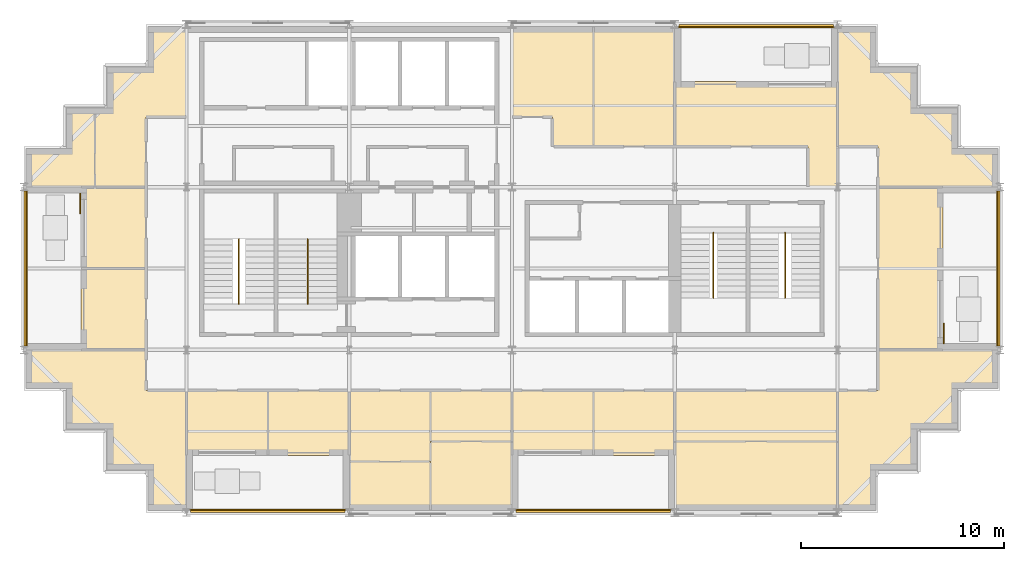
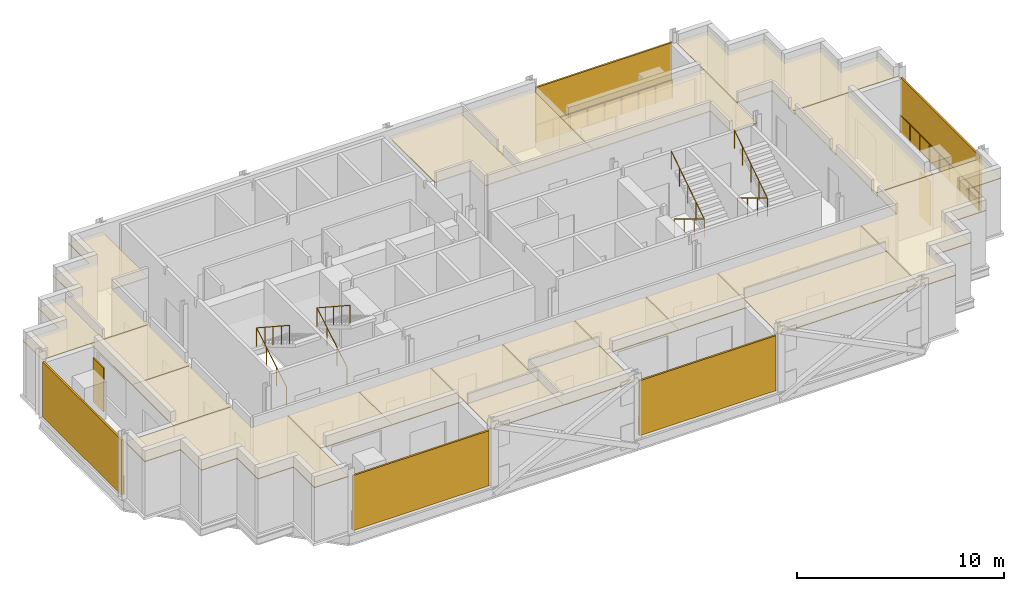
# One storey, part 9 of 10: 21 coverings, 9 railings, 7 shading devices.
"""IFC4 building model written with IfcOpenShell, lengths in metres."""

import ifcopenshell
import ifcopenshell.guid

model = None  # the IFC model being written
_history = None  # IfcOwnerHistory: only IFC2X3 demands one
_inside = {}  # id of a spatial element -> (the spatial element, [elements in it])
_under = {}  # id of a project, library or spatial element -> (it, [spatial elements below it])
_declared = {}  # id of a project -> (the project, [libraries it declares])
_typed = {}  # id of a type object -> (the type object, [elements of that type])
_made_of = {}  # id of a material, layer set ... -> (it, [elements and type objects made of it])


def new_model(schema):
    """Start an empty IFC model of exactly this schema.

    Asked for "IFC4X3", IfcOpenShell would pick the latest addendum, in which some entities
    have other attributes; the version numbers below select the first issue.
    IFC2X3 requires an IfcOwnerHistory on every rooted entity: one is made here for all.
    """
    global model, _history
    if schema == "IFC4X3":
        model = ifcopenshell.file(schema_version=(4, 3, 0, 0))
    else:
        model = ifcopenshell.file(schema=schema)
    _inside.clear()
    _under.clear()
    _declared.clear()
    _typed.clear()
    _made_of.clear()
    _history = None
    if model.schema == "IFC2X3":
        org = make("IfcOrganization", Name="unknown")
        user = make(
            "IfcPersonAndOrganization",
            ThePerson=make("IfcPerson", FamilyName="unknown"),
            TheOrganization=org,
        )
        app = make(
            "IfcApplication",
            ApplicationDeveloper=org,
            Version="unknown",
            ApplicationFullName="unknown",
            ApplicationIdentifier="unknown",
        )
        _history = make(
            "IfcOwnerHistory",
            OwningUser=user,
            OwningApplication=app,
            ChangeAction="ADDED",
            CreationDate=0,
        )
    return model


def make(cls, **values):
    """One entity of the class cls with the attributes given. An attribute that is None is left unset."""
    return model.create_entity(
        cls, **{name: value for name, value in values.items() if value is not None}
    )


def rooted(cls, **values):
    """An entity with a GlobalId (a new one), such as an element, a storey or a relation."""
    return make(cls, GlobalId=ifcopenshell.guid.new(), OwnerHistory=_history, **values)


def si_unit(unit_type, name, prefix=None):
    """IfcSIUnit, for example si_unit("LENGTHUNIT", "METRE", prefix="MILLI")."""
    return make("IfcSIUnit", UnitType=unit_type, Prefix=prefix, Name=name)


def assignment(units):
    """IfcUnitAssignment: the units of a project."""
    return None if units is None else make("IfcUnitAssignment", Units=units)


def point(xyz):
    """IfcCartesianPoint."""
    return None if xyz is None else make("IfcCartesianPoint", Coordinates=xyz)


def direction(xyz):
    """IfcDirection."""
    return None if xyz is None else make("IfcDirection", DirectionRatios=xyz)


def frame(location, z_axis=None, x_axis=None):
    """IfcAxis2Placement3D, a coordinate frame: its origin and axes. An axis left out is left unset."""
    return make(
        "IfcAxis2Placement3D",
        Location=point(location),
        Axis=direction(z_axis),
        RefDirection=direction(x_axis),
    )


def frame_2d(location, x_axis=None):
    """IfcAxis2Placement2D, a coordinate frame in the plane: its origin and x axis."""
    return make(
        "IfcAxis2Placement2D", Location=point(location), RefDirection=direction(x_axis)
    )


def origin():
    """The frame at (0, 0, 0) with its axes left unset."""
    return frame((0.0, 0.0, 0.0))


def origin_2d():
    """The frame at (0, 0) in the plane with its x axis left unset."""
    return frame_2d((0.0, 0.0))


def place(relative_to, where):
    """IfcLocalPlacement: puts the frame where relative to a parent placement (None: the world)."""
    return make(
        "IfcLocalPlacement", PlacementRelTo=relative_to, RelativePlacement=where
    )


def context(
    kind, dimensions, precision=None, world=None, true_north=None, identifier=None
):
    """IfcGeometricRepresentationContext, for example the 3D "Model" context."""
    return make(
        "IfcGeometricRepresentationContext",
        ContextIdentifier=identifier,
        ContextType=kind,
        CoordinateSpaceDimension=dimensions,
        Precision=precision,
        WorldCoordinateSystem=world,
        TrueNorth=true_north,
    )


def subcontext(parent, identifier, kind, view, scale=None):
    """IfcGeometricRepresentationSubContext, for example "Body" below "Model"."""
    return make(
        "IfcGeometricRepresentationSubContext",
        ContextIdentifier=identifier,
        ContextType=kind,
        ParentContext=parent,
        TargetScale=scale,
        TargetView=view,
    )


def project(units=None, contexts=None):
    """IfcProject with its units and contexts."""
    return rooted(
        "IfcProject",
        Name="project",
        RepresentationContexts=contexts,
        UnitsInContext=assignment(units),
    )


def spatial(cls, under=None, at=None, **own):
    """A site, building, storey or space (cls), placed at a placement, below another one or the project."""
    s = rooted(cls, ObjectPlacement=at, **own)
    if under is not None:
        _under.setdefault(under.id(), (under, []))[1].append(s)
    return s


def polyline(points):
    """IfcPolyline through the points."""
    return make("IfcPolyline", Points=[point(p) for p in points])


def profile(cls, at=None, kind="AREA", **sizes):
    """A parametric profile (cls). Its sizes go by their IFC names, for example OverallWidth=200.0."""
    return make(cls, ProfileType=kind, Position=at, **sizes)


def rectangle(**sizes):
    """IfcRectangleProfileDef."""
    return profile("IfcRectangleProfileDef", **sizes)


def circle(**sizes):
    """IfcCircleProfileDef."""
    return profile("IfcCircleProfileDef", **sizes)


def outline(outer, holes=None, kind="AREA"):
    """IfcArbitraryClosedProfileDef: a profile drawn as a closed curve; with holes, ...WithVoids."""
    if holes is None:
        return make("IfcArbitraryClosedProfileDef", ProfileType=kind, OuterCurve=outer)
    return make(
        "IfcArbitraryProfileDefWithVoids",
        ProfileType=kind,
        OuterCurve=outer,
        InnerCurves=holes,
    )


def extrude(swept, where, along, depth):
    """IfcExtrudedAreaSolid: the profile swept, set in the frame where, extruded along a direction by depth."""
    return make(
        "IfcExtrudedAreaSolid",
        SweptArea=swept,
        Position=where,
        ExtrudedDirection=direction(along),
        Depth=depth,
    )


def shape(context_of_items, identifier, shape_type, items):
    """IfcShapeRepresentation: the items that make up one representation, for example the "Body"."""
    return make(
        "IfcShapeRepresentation",
        ContextOfItems=context_of_items,
        RepresentationIdentifier=identifier,
        RepresentationType=shape_type,
        Items=items,
    )


def material(Name=None, Category=None):
    """IfcMaterial."""
    return make("IfcMaterial", Name=Name, Category=Category)


def layer(
    of_material, thickness, ventilated=None, Name=None, Category=None, Priority=None
):
    """IfcMaterialLayer: one layer of a wall or slab, of a material (None: an air gap)."""
    return make(
        "IfcMaterialLayer",
        Material=of_material,
        LayerThickness=thickness,
        IsVentilated=ventilated,
        Name=Name,
        Category=Category,
        Priority=Priority,
    )


def layer_set(layers, Name=None):
    """IfcMaterialLayerSet."""
    return make("IfcMaterialLayerSet", MaterialLayers=layers, LayerSetName=Name)


def made_of(thing, what):
    """Note that an element or type object is made of a material, layer set ...; save() writes the relation."""
    if what is not None:
        _made_of.setdefault(what.id(), (what, []))[1].append(thing)
    return thing


def type_object(cls, material=None, **own):
    """A type object (cls), such as IfcWallType, which elements share."""
    return made_of(rooted(cls, **own), material)


def element(
    cls,
    number,
    at=None,
    inside=None,
    cuts=None,
    type_object=None,
    material=None,
    context=None,
    identifier="Body",
    shape_type=None,
    held_by="IfcProductDefinitionShape",
    body=None,
    shapes=None,
    **own,
):
    """One element of the class cls, such as IfcWall. Its Tag is "e" and its number.

    at: its placement. inside: the storey or other place that contains it. cuts: it is an
    opening in that element (IfcRelVoidsElement). A single representation is given by context,
    identifier, shape_type and body (its items); several are given by shapes. held_by: the class
    of the entity that holds the representations. save() writes the other relations.
    """
    e = rooted(cls, Tag="e%d" % number, ObjectPlacement=at, **own)
    if body is not None:
        shapes = [shape(context, identifier, shape_type, body)]
    if shapes is not None:
        e.Representation = make(held_by, Representations=shapes)
    if inside is not None:
        _inside.setdefault(inside.id(), (inside, []))[1].append(e)
    if cuts is not None:
        rooted(
            "IfcRelVoidsElement", RelatingBuildingElement=cuts, RelatedOpeningElement=e
        )
    if type_object is not None:
        _typed.setdefault(type_object.id(), (type_object, []))[1].append(e)
    return made_of(e, material)


def aggregate(whole, parts):
    """IfcRelAggregates: a whole, such as a stair, and the parts it consists of."""
    return rooted("IfcRelAggregates", RelatingObject=whole, RelatedObjects=parts)


def save(model, path):
    """Write the relations noted so far, then the file.

    IfcRelAggregates (storeys below a building ...), IfcRelContainedInSpatialStructure (elements
    in a storey), IfcRelDefinesByType, IfcRelAssociatesMaterial and IfcRelDeclares: one each for
    every whole, place, type object, material and project.
    """
    for whole, parts in _under.values():
        aggregate(whole, parts)
    for where, things in _inside.values():
        rooted(
            "IfcRelContainedInSpatialStructure",
            RelatedElements=things,
            RelatingStructure=where,
        )
    for kind, things in _typed.values():
        rooted("IfcRelDefinesByType", RelatedObjects=things, RelatingType=kind)
    for what, things in _made_of.values():
        rooted("IfcRelAssociatesMaterial", RelatedObjects=things, RelatingMaterial=what)
    for by, libraries in _declared.values():
        rooted("IfcRelDeclares", RelatingContext=by, RelatedDefinitions=libraries)
    model.write(path)


model = new_model("IFC4")

# Units and contexts
model_context = context("Model", 3, precision=1e-05, world=origin(), true_north=direction((0.0, 1.0)))
body_context = subcontext(model_context, "Body", "Model", "MODEL_VIEW")
ifc_project = project(units=[si_unit("LENGTHUNIT", "METRE"), si_unit("AREAUNIT", "SQUARE_METRE"), si_unit("VOLUMEUNIT", "CUBIC_METRE"), si_unit("PLANEANGLEUNIT", "RADIAN"), si_unit("MASSUNIT", "GRAM", prefix="KILO")], contexts=[model_context])

# Site, building, storey
site_placement = place(None, origin())
site = spatial("IfcSite", under=ifc_project, at=site_placement, CompositionType="ELEMENT")
building_placement = place(site_placement, origin())
building = spatial("IfcBuilding", under=site, at=building_placement, Name="Immortelle Media Tower", CompositionType="ELEMENT")
storey_placement = place(building_placement, frame((0.0, 0.0, 291.0)))
storey = spatial("IfcBuildingStorey", under=building, at=storey_placement, Name="L64", CompositionType="ELEMENT", Elevation=291.0)

# Railings
ifc_material_1 = material(Name="Powder-coated aluminium fretwork panel, laminated glass backing", Category="aluminium")
railing_type_1 = type_object("IfcRailingType", Name="Fretwork balustrade 1100", PredefinedType="BALUSTRADE", material=ifc_material_1)
railing_1_placement = place(storey_placement, frame((8.1865234375, 0.139892578125, 0.0)))
element("IfcRailing", 1, at=railing_1_placement, inside=storey, type_object=railing_type_1, Name="Fretwork balustrade L64 S0", PredefinedType="BALUSTRADE", context=body_context, shape_type="SweptSolid", body=[
    extrude(circle(Radius=0.02490234375, at=origin_2d()), frame((0.0, 0.0, 1.0751953125), z_axis=(1.0, 0.0, 0.0), x_axis=(0.0, 1.0, 0.0)), (0.0, 0.0, 1.0), 7.614013671875),
    extrude(circle(Radius=0.02001953125, at=origin_2d()), origin(), (0.0, 0.0, 1.0), 1.050048828125),
    extrude(circle(Radius=0.02001953125, at=origin_2d()), frame((0.95166015625, 0.0, 0.0)), (0.0, 0.0, 1.0), 1.050048828125),
    extrude(circle(Radius=0.02001953125, at=origin_2d()), frame((1.903564453125, 0.0, 0.0)), (0.0, 0.0, 1.0), 1.050048828125),
    extrude(circle(Radius=0.02001953125, at=origin_2d()), frame((2.855224609375, 0.0, 0.0)), (0.0, 0.0, 1.0), 1.050048828125),
    extrude(circle(Radius=0.02001953125, at=origin_2d()), frame((3.80712890625, 0.0, 0.0)), (0.0, 0.0, 1.0), 1.050048828125),
    extrude(circle(Radius=0.02001953125, at=origin_2d()), frame((4.7587890625, 0.0, 0.0)), (0.0, 0.0, 1.0), 1.050048828125),
    extrude(circle(Radius=0.02001953125, at=origin_2d()), frame((5.71044921875, 0.0, 0.0)), (0.0, 0.0, 1.0), 1.050048828125),
    extrude(circle(Radius=0.02001953125, at=origin_2d()), frame((6.662353515625, 0.0, 0.0)), (0.0, 0.0, 1.0), 1.050048828125),
    extrude(circle(Radius=0.02001953125, at=origin_2d()), frame((7.614013671875, 0.0, 0.0)), (0.0, 0.0, 1.0), 1.050048828125),
])
railing_2_placement = place(storey_placement, frame((24.199462890625, 0.139892578125, 0.0)))
element("IfcRailing", 2, at=railing_2_placement, inside=storey, type_object=railing_type_1, Name="Fretwork balustrade L64 S2", PredefinedType="BALUSTRADE", context=body_context, shape_type="SweptSolid", body=[
    extrude(circle(Radius=0.02490234375, at=origin_2d()), frame((0.0, 0.0, 1.0751953125), z_axis=(1.0, 0.0, 0.0), x_axis=(0.0, 1.0, 0.0)), (0.0, 0.0, 1.0), 7.60107421875),
    extrude(circle(Radius=0.02001953125, at=origin_2d()), origin(), (0.0, 0.0, 1.0), 1.050048828125),
    extrude(circle(Radius=0.02001953125, at=origin_2d()), frame((0.9501953125, 0.0, 0.0)), (0.0, 0.0, 1.0), 1.050048828125),
    extrude(circle(Radius=0.02001953125, at=origin_2d()), frame((1.900390625, 0.0, 0.0)), (0.0, 0.0, 1.0), 1.050048828125),
    extrude(circle(Radius=0.02001953125, at=origin_2d()), frame((2.850341796875, 0.0, 0.0)), (0.0, 0.0, 1.0), 1.050048828125),
    extrude(circle(Radius=0.02001953125, at=origin_2d()), frame((3.800537109375, 0.0, 0.0)), (0.0, 0.0, 1.0), 1.050048828125),
    extrude(circle(Radius=0.02001953125, at=origin_2d()), frame((4.750732421875, 0.0, 0.0)), (0.0, 0.0, 1.0), 1.050048828125),
    extrude(circle(Radius=0.02001953125, at=origin_2d()), frame((5.70068359375, 0.0, 0.0)), (0.0, 0.0, 1.0), 1.050048828125),
    extrude(circle(Radius=0.02001953125, at=origin_2d()), frame((6.65087890625, 0.0, 0.0)), (0.0, 0.0, 1.0), 1.050048828125),
    extrude(circle(Radius=0.02001953125, at=origin_2d()), frame((7.60107421875, 0.0, 0.0)), (0.0, 0.0, 1.0), 1.050048828125),
])
railing_3_placement = place(storey_placement, frame((47.860107421875, 8.18408203125, 0.0)))
element("IfcRailing", 3, at=railing_3_placement, inside=storey, type_object=railing_type_1, Name="Fretwork balustrade L64 E0", PredefinedType="BALUSTRADE", context=body_context, shape_type="SweptSolid", body=[
    extrude(circle(Radius=0.02490234375, at=origin_2d()), frame((0.0, 0.0, 1.0751953125), z_axis=(0.0, 1.0, 0.0), x_axis=(-1.0, 0.0, 0.0)), (0.0, 0.0, 1.0), 7.6318359375),
    extrude(circle(Radius=0.02001953125, at=origin_2d()), origin(), (0.0, 0.0, 1.0), 1.050048828125),
    extrude(circle(Radius=0.02001953125, at=origin_2d()), frame((0.0, 0.9541015625, 0.0)), (0.0, 0.0, 1.0), 1.050048828125),
    extrude(circle(Radius=0.02001953125, at=origin_2d()), frame((0.0, 1.907958984375, 0.0)), (0.0, 0.0, 1.0), 1.050048828125),
    extrude(circle(Radius=0.02001953125, at=origin_2d()), frame((0.0, 2.86181640625, 0.0)), (0.0, 0.0, 1.0), 1.050048828125),
    extrude(circle(Radius=0.02001953125, at=origin_2d()), frame((0.0, 3.81591796875, 0.0)), (0.0, 0.0, 1.0), 1.050048828125),
    extrude(circle(Radius=0.02001953125, at=origin_2d()), frame((0.0, 4.77001953125, 0.0)), (0.0, 0.0, 1.0), 1.050048828125),
    extrude(circle(Radius=0.02001953125, at=origin_2d()), frame((0.0, 5.723876953125, 0.0)), (0.0, 0.0, 1.0), 1.050048828125),
    extrude(circle(Radius=0.02001953125, at=origin_2d()), frame((0.0, 6.677734375, 0.0)), (0.0, 0.0, 1.0), 1.050048828125),
    extrude(circle(Radius=0.02001953125, at=origin_2d()), frame((0.0, 7.6318359375, 0.0)), (0.0, 0.0, 1.0), 1.050048828125),
])
railing_4_placement = place(storey_placement, frame((39.8134765625, 23.860107421875, 0.0)))
element("IfcRailing", 4, at=railing_4_placement, inside=storey, type_object=railing_type_1, Name="Fretwork balustrade L64 N0", PredefinedType="BALUSTRADE", context=body_context, shape_type="SweptSolid", body=[
    extrude(circle(Radius=0.02490234375, at=origin_2d()), frame((0.0, 0.0, 1.0751953125), z_axis=(-1.0, 0.0, 0.0), x_axis=(0.0, -1.0, 0.0)), (0.0, 0.0, 1.0), 7.614013671875),
    extrude(circle(Radius=0.02001953125, at=origin_2d()), origin(), (0.0, 0.0, 1.0), 1.050048828125),
    extrude(circle(Radius=0.02001953125, at=origin_2d()), frame((-0.95166015625, 0.0, 0.0)), (0.0, 0.0, 1.0), 1.050048828125),
    extrude(circle(Radius=0.02001953125, at=origin_2d()), frame((-1.903564453125, 0.0, 0.0)), (0.0, 0.0, 1.0), 1.050048828125),
    extrude(circle(Radius=0.02001953125, at=origin_2d()), frame((-2.855224609375, 0.0, 0.0)), (0.0, 0.0, 1.0), 1.050048828125),
    extrude(circle(Radius=0.02001953125, at=origin_2d()), frame((-3.80712890625, 0.0, 0.0)), (0.0, 0.0, 1.0), 1.050048828125),
    extrude(circle(Radius=0.02001953125, at=origin_2d()), frame((-4.7587890625, 0.0, 0.0)), (0.0, 0.0, 1.0), 1.050048828125),
    extrude(circle(Radius=0.02001953125, at=origin_2d()), frame((-5.71044921875, 0.0, 0.0)), (0.0, 0.0, 1.0), 1.050048828125),
    extrude(circle(Radius=0.02001953125, at=origin_2d()), frame((-6.662353515625, 0.0, 0.0)), (0.0, 0.0, 1.0), 1.050048828125),
    extrude(circle(Radius=0.02001953125, at=origin_2d()), frame((-7.614013671875, 0.0, 0.0)), (0.0, 0.0, 1.0), 1.050048828125),
])
railing_5_placement = place(storey_placement, frame((0.139892578125, 15.81591796875, 0.0)))
element("IfcRailing", 5, at=railing_5_placement, inside=storey, type_object=railing_type_1, Name="Fretwork balustrade L64 W0", PredefinedType="BALUSTRADE", context=body_context, shape_type="SweptSolid", body=[
    extrude(circle(Radius=0.02490234375, at=origin_2d()), frame((0.0, 0.0, 1.0751953125), z_axis=(0.0, -1.0, 0.0), x_axis=(1.0, 0.0, 0.0)), (0.0, 0.0, 1.0), 7.6318359375),
    extrude(circle(Radius=0.02001953125, at=origin_2d()), origin(), (0.0, 0.0, 1.0), 1.050048828125),
    extrude(circle(Radius=0.02001953125, at=origin_2d()), frame((0.0, -0.9541015625, 0.0)), (0.0, 0.0, 1.0), 1.050048828125),
    extrude(circle(Radius=0.02001953125, at=origin_2d()), frame((0.0, -1.907958984375, 0.0)), (0.0, 0.0, 1.0), 1.050048828125),
    extrude(circle(Radius=0.02001953125, at=origin_2d()), frame((0.0, -2.86181640625, 0.0)), (0.0, 0.0, 1.0), 1.050048828125),
    extrude(circle(Radius=0.02001953125, at=origin_2d()), frame((0.0, -3.81591796875, 0.0)), (0.0, 0.0, 1.0), 1.050048828125),
    extrude(circle(Radius=0.02001953125, at=origin_2d()), frame((0.0, -4.77001953125, 0.0)), (0.0, 0.0, 1.0), 1.050048828125),
    extrude(circle(Radius=0.02001953125, at=origin_2d()), frame((0.0, -5.723876953125, 0.0)), (0.0, 0.0, 1.0), 1.050048828125),
    extrude(circle(Radius=0.02001953125, at=origin_2d()), frame((0.0, -6.677734375, 0.0)), (0.0, 0.0, 1.0), 1.050048828125),
    extrude(circle(Radius=0.02001953125, at=origin_2d()), frame((0.0, -7.6318359375, 0.0)), (0.0, 0.0, 1.0), 1.050048828125),
])

# Shading devices
ifc_material_2 = material(Name="Pale aluminium louvre blades", Category="aluminium")
ifc_layer_1 = layer(ifc_material_2, 0.10009765625)
ifc_layer_set_1 = layer_set([ifc_layer_1], Name="Pale aluminium louvre blades")
shading_device_type_1 = type_object("IfcShadingDeviceType", Name="Jalousie screen 100", PredefinedType="JALOUSIE", material=ifc_layer_set_1)
shading_device_1_placement = place(storey_placement, frame((11.993408203125, 0.050048828125, 0.0), z_axis=(0.0, 0.0, 1.0), x_axis=(1.0, 0.0, 0.0)))
element("IfcShadingDevice", 6, at=shading_device_1_placement, inside=storey, type_object=shading_device_type_1, Name="Jalousie screen L64 S0", PredefinedType="JALOUSIE", context=body_context, shape_type="SweptSolid", body=[
    extrude(rectangle(XDim=7.614013671875, YDim=0.10009765625, at=origin_2d()), origin(), (0.0, 0.0, 1.0), 3.248046875),
])
shading_device_2_placement = place(storey_placement, frame((28.0, 0.050048828125, 0.0), z_axis=(0.0, 0.0, 1.0), x_axis=(1.0, 0.0, 0.0)))
element("IfcShadingDevice", 7, at=shading_device_2_placement, inside=storey, type_object=shading_device_type_1, Name="Jalousie screen L64 S2", PredefinedType="JALOUSIE", context=body_context, shape_type="SweptSolid", body=[
    extrude(rectangle(XDim=7.60107421875, YDim=0.10009765625, at=origin_2d()), origin(), (0.0, 0.0, 1.0), 3.248046875),
])
shading_device_3_placement = place(storey_placement, frame((47.949951171875, 12.0, 0.0), z_axis=(0.0, 0.0, 1.0), x_axis=(0.0, 1.0, 0.0)))
element("IfcShadingDevice", 8, at=shading_device_3_placement, inside=storey, type_object=shading_device_type_1, Name="Jalousie screen L64 E0", PredefinedType="JALOUSIE", context=body_context, shape_type="SweptSolid", body=[
    extrude(rectangle(XDim=7.632080078125, YDim=0.10009765625, at=origin_2d()), origin(), (0.0, 0.0, 1.0), 3.248046875),
])
shading_device_4_placement = place(storey_placement, frame((36.006591796875, 23.949951171875, 0.0), z_axis=(0.0, 0.0, 1.0), x_axis=(-1.0, 0.0, 0.0)))
element("IfcShadingDevice", 9, at=shading_device_4_placement, inside=storey, type_object=shading_device_type_1, Name="Jalousie screen L64 N0", PredefinedType="JALOUSIE", context=body_context, shape_type="SweptSolid", body=[
    extrude(rectangle(XDim=7.614013671875, YDim=0.10009765625, at=origin_2d()), origin(), (0.0, 0.0, 1.0), 3.248046875),
])
shading_device_5_placement = place(storey_placement, frame((0.050048828125, 12.0, 0.0), z_axis=(0.0, 0.0, 1.0), x_axis=(0.0, -1.0, 0.0)))
element("IfcShadingDevice", 10, at=shading_device_5_placement, inside=storey, type_object=shading_device_type_1, Name="Jalousie screen L64 W0", PredefinedType="JALOUSIE", context=body_context, shape_type="SweptSolid", body=[
    extrude(rectangle(XDim=7.632080078125, YDim=0.10009765625, at=origin_2d()), origin(), (0.0, 0.0, 1.0), 3.248046875),
])
ifc_material_3 = material(Name="Pale aluminium louvre blades in a folding frame", Category="aluminium")
ifc_layer_2 = layer(ifc_material_3, 0.050048828125)
ifc_layer_set_2 = layer_set([ifc_layer_2], Name="Pale aluminium louvre blades in a folding frame")
shading_device_type_2 = type_object("IfcShadingDeviceType", Name="Louvred loggia shutter", PredefinedType="SHUTTER", material=ifc_layer_set_2)
for number, where, z_axis, x_axis, name in (
    (11, (45.22509765625, 8.800048828125, 0.0), (0.0, 0.0, 1.0), (0.0, 1.0, 0.0), "Loggia shutter L64 E0"),
    (12, (2.77490234375, 15.199951171875, 0.0), (0.0, 0.0, 1.0), (0.0, -1.0, 0.0), "Loggia shutter L64 W0"),
):
    element("IfcShadingDevice", number, at=place(storey_placement, frame(where, z_axis=z_axis, x_axis=x_axis)), inside=storey, type_object=shading_device_type_2, Name=name, PredefinedType="SHUTTER", context=body_context, shape_type="SweptSolid", body=[
        extrude(rectangle(XDim=1.0, YDim=0.050048828125, at=origin_2d()), origin(), (0.0, 0.0, 1.0), 2.60009765625),
    ])

# Railings
ifc_material_4 = material(Name="Stainless steel AISI 316", Category="steel")
railing_type_2 = type_object("IfcRailingType", Name="Stair guard 1100", PredefinedType="GUARDRAIL", material=ifc_material_4)
for number, where, name in (
    (13, (10.574951171875, 10.5400390625, 0.173828125), "Stair guard SW1"),
    (14, (13.949951171875, 10.5400390625, 0.173828125), "Stair guard SW2"),
):
    element("IfcRailing", number, at=place(storey_placement, frame(where)), inside=storey, type_object=railing_type_2, Name=name, PredefinedType="GUARDRAIL", context=body_context, shape_type="SweptSolid", body=[
        extrude(circle(Radius=0.02392578125, at=origin_2d()), frame((0.0, 0.0, 1.076171875), z_axis=(0.0, 0.857582100076, 0.514347102285), x_axis=(-1.0, 0.0, 0.0)), (0.0, 0.0, 1.0), 3.381591796875),
        extrude(circle(Radius=0.02392578125, at=origin_2d()), frame((0.0, 2.89990234375, 2.8154296875), z_axis=(0.0, -0.836827423118, 0.547466769693), x_axis=(1.0, 0.0, 0.0)), (0.0, 0.0, 1.0), 3.81201171875),
        extrude(circle(Radius=0.02099609375, at=origin_2d()), origin(), (0.0, 0.0, 1.0), 1.052001953125),
        extrude(circle(Radius=0.02099609375, at=origin_2d()), frame((0.0, 0.966552734375, 0.579833984375)), (0.0, 0.0, 1.0), 1.052001953125),
        extrude(circle(Radius=0.02099609375, at=origin_2d()), frame((0.0, 1.933349609375, 1.159423828125)), (0.0, 0.0, 1.0), 1.052001953125),
        extrude(circle(Radius=0.02099609375, at=origin_2d()), frame((0.0, 2.89990234375, 1.7392578125)), (0.0, 0.0, 1.0), 1.052001953125),
        extrude(circle(Radius=0.02099609375, at=origin_2d()), frame((0.0, 2.1025390625, 2.260986328125)), (0.0, 0.0, 1.0), 1.052001953125),
        extrude(circle(Radius=0.02099609375, at=origin_2d()), frame((0.0, 1.304931640625, 2.78271484375)), (0.0, 0.0, 1.0), 1.052001953125),
        extrude(circle(Radius=0.02099609375, at=origin_2d()), frame((0.0, 0.50732421875, 3.304443359375)), (0.0, 0.0, 1.0), 1.052001953125),
        extrude(circle(Radius=0.02099609375, at=origin_2d()), frame((0.0, -0.2900390625, 3.826171875)), (0.0, 0.0, 1.0), 1.052001953125),
    ])
for number, where, name in (
    (15, (33.89990234375, 13.4599609375, 0.173828125), "Stair guard SE1"),
    (16, (37.425048828125, 13.4599609375, 0.173828125), "Stair guard SE2"),
):
    element("IfcRailing", number, at=place(storey_placement, frame(where)), inside=storey, type_object=railing_type_2, Name=name, PredefinedType="GUARDRAIL", context=body_context, shape_type="SweptSolid", body=[
        extrude(circle(Radius=0.02392578125, at=origin_2d()), frame((0.0, 0.0, 1.076171875), z_axis=(0.0, -0.857582100076, 0.514347102285), x_axis=(1.0, 0.0, 0.0)), (0.0, 0.0, 1.0), 3.381591796875),
        extrude(circle(Radius=0.02392578125, at=origin_2d()), frame((0.0, -2.89990234375, 2.8154296875), z_axis=(0.0, 0.836827423118, 0.547466769693), x_axis=(-1.0, 0.0, 0.0)), (0.0, 0.0, 1.0), 3.81201171875),
        extrude(circle(Radius=0.02099609375, at=origin_2d()), origin(), (0.0, 0.0, 1.0), 1.052001953125),
        extrude(circle(Radius=0.02099609375, at=origin_2d()), frame((0.0, -0.966552734375, 0.579833984375)), (0.0, 0.0, 1.0), 1.052001953125),
        extrude(circle(Radius=0.02099609375, at=origin_2d()), frame((0.0, -1.933349609375, 1.159423828125)), (0.0, 0.0, 1.0), 1.052001953125),
        extrude(circle(Radius=0.02099609375, at=origin_2d()), frame((0.0, -2.89990234375, 1.7392578125)), (0.0, 0.0, 1.0), 1.052001953125),
        extrude(circle(Radius=0.02099609375, at=origin_2d()), frame((0.0, -2.1025390625, 2.260986328125)), (0.0, 0.0, 1.0), 1.052001953125),
        extrude(circle(Radius=0.02099609375, at=origin_2d()), frame((0.0, -1.304931640625, 2.78271484375)), (0.0, 0.0, 1.0), 1.052001953125),
        extrude(circle(Radius=0.02099609375, at=origin_2d()), frame((0.0, -0.50732421875, 3.304443359375)), (0.0, 0.0, 1.0), 1.052001953125),
        extrude(circle(Radius=0.02099609375, at=origin_2d()), frame((0.0, 0.2900390625, 3.826171875)), (0.0, 0.0, 1.0), 1.052001953125),
    ])

# Coverings
ifc_material_5 = material(Name="Mineral fibre tile ceiling")
ifc_layer_3 = layer(ifc_material_5, 0.050048828125)
ifc_layer_set_3 = layer_set([ifc_layer_3], Name="Mineral fibre tile ceiling")
covering_type = type_object("IfcCoveringType", Name="Suspended ceiling 50", PredefinedType="CEILING", material=ifc_layer_set_3)
covering_1_placement = place(storey_placement, frame((0.0, 0.0, 3.18798828125)))
element("IfcCovering", 17, at=covering_1_placement, inside=storey, type_object=covering_type, Name="Ceiling L64-001", PredefinedType="CEILING", context=body_context, shape_type="SweptSolid", body=[
    extrude(outline(polyline([(16.0, 6.0), (20.0, 6.0), (20.0, 2.5), (16.0, 2.5), (16.0, 2.800048828125), (16.0, 6.0)])), origin(), (0.0, 0.0, 1.0), 0.050048828125),
])
covering_2_placement = place(storey_placement, frame((0.0, 0.0, 3.18798828125)))
element("IfcCovering", 18, at=covering_2_placement, inside=storey, type_object=covering_type, Name="Ceiling L64-002", PredefinedType="CEILING", context=body_context, shape_type="SweptSolid", body=[
    extrude(outline(polyline([(20.0, 0.10009765625), (16.0, 0.10009765625), (16.0, 2.5), (20.0, 2.5), (20.0, 0.10009765625)])), origin(), (0.0, 0.0, 1.0), 0.050048828125),
])
covering_3_placement = place(storey_placement, frame((0.0, 0.0, 3.18798828125)))
element("IfcCovering", 19, at=covering_3_placement, inside=storey, type_object=covering_type, Name="Ceiling L64-003", PredefinedType="CEILING", context=body_context, shape_type="SweptSolid", body=[
    extrude(outline(polyline([(24.0, 3.5), (20.0, 3.5), (20.0, 6.0), (24.0, 6.0), (24.0, 3.5)])), origin(), (0.0, 0.0, 1.0), 0.050048828125),
])
covering_4_placement = place(storey_placement, frame((0.0, 0.0, 3.18798828125)))
element("IfcCovering", 20, at=covering_4_placement, inside=storey, type_object=covering_type, Name="Ceiling L64-004", PredefinedType="CEILING", context=body_context, shape_type="SweptSolid", body=[
    extrude(outline(polyline([(24.0, 2.800048828125), (24.0, 0.10009765625), (20.0, 0.10009765625), (20.0, 3.5), (24.0, 3.5), (24.0, 2.800048828125)])), origin(), (0.0, 0.0, 1.0), 0.050048828125),
])
covering_5_placement = place(storey_placement, frame((0.0, 0.0, 3.18798828125)))
element("IfcCovering", 21, at=covering_5_placement, inside=storey, type_object=covering_type, Name="Ceiling L64-005", PredefinedType="CEILING", context=body_context, shape_type="SweptSolid", body=[
    extrude(outline(polyline([(32.0, 6.0), (40.0, 6.0), (40.0, 3.5), (32.0, 3.5), (32.0, 6.0)])), origin(), (0.0, 0.0, 1.0), 0.050048828125),
])
covering_6_placement = place(storey_placement, frame((0.0, 0.0, 3.18798828125)))
element("IfcCovering", 22, at=covering_6_placement, inside=storey, type_object=covering_type, Name="Ceiling L64-006", PredefinedType="CEILING", context=body_context, shape_type="SweptSolid", body=[
    extrude(outline(polyline([(32.0, 2.800048828125), (32.0, 3.5), (40.0, 3.5), (40.0, 0.10009765625), (32.0, 0.10009765625), (32.0, 2.800048828125)])), origin(), (0.0, 0.0, 1.0), 0.050048828125),
])
covering_7_placement = place(storey_placement, frame((0.0, 0.0, 3.18798828125)))
element("IfcCovering", 23, at=covering_7_placement, inside=storey, type_object=covering_type, Name="Ceiling L64-007", PredefinedType="CEILING", context=body_context, shape_type="SweptSolid", body=[
    extrude(outline(polyline([(8.0, 6.0), (12.0, 6.0), (12.0, 2.800048828125), (8.0, 2.800048828125), (8.0, 6.0)])), origin(), (0.0, 0.0, 1.0), 0.050048828125),
])
covering_8_placement = place(storey_placement, frame((0.0, 0.0, 3.18798828125)))
element("IfcCovering", 24, at=covering_8_placement, inside=storey, type_object=covering_type, Name="Ceiling L64-008", PredefinedType="CEILING", context=body_context, shape_type="SweptSolid", body=[
    extrude(outline(polyline([(16.0, 6.0), (16.0, 2.800048828125), (12.0, 2.800048828125), (12.0, 6.0), (16.0, 6.0)])), origin(), (0.0, 0.0, 1.0), 0.050048828125),
])
covering_9_placement = place(storey_placement, frame((0.0, 0.0, 3.18798828125)))
element("IfcCovering", 25, at=covering_9_placement, inside=storey, type_object=covering_type, Name="Ceiling L64-009", PredefinedType="CEILING", context=body_context, shape_type="SweptSolid", body=[
    extrude(outline(polyline([(24.0, 6.0), (26.0, 6.0), (28.0, 6.0), (28.0, 2.800048828125), (24.0, 2.800048828125), (24.0, 6.0)])), origin(), (0.0, 0.0, 1.0), 0.050048828125),
])
covering_10_placement = place(storey_placement, frame((0.0, 0.0, 3.18798828125)))
element("IfcCovering", 26, at=covering_10_placement, inside=storey, type_object=covering_type, Name="Ceiling L64-010", PredefinedType="CEILING", context=body_context, shape_type="SweptSolid", body=[
    extrude(outline(polyline([(32.0, 6.0), (32.0, 2.800048828125), (28.0, 2.800048828125), (28.0, 6.0), (32.0, 6.0)])), origin(), (0.0, 0.0, 1.0), 0.050048828125),
])
covering_11_placement = place(storey_placement, frame((0.0, 0.0, 3.18798828125)))
element("IfcCovering", 27, at=covering_11_placement, inside=storey, type_object=covering_type, Name="Ceiling L64-011", PredefinedType="CEILING", context=body_context, shape_type="SweptSolid", body=[
    extrude(outline(polyline([(4.10009765625, 2.10009765625), (4.10009765625, 4.10009765625), (4.0, 4.10009765625), (2.10009765625, 4.10009765625), (2.10009765625, 6.10009765625), (0.10009765625, 6.10009765625), (0.10009765625, 8.0), (2.800048828125, 8.0), (4.0, 8.0), (6.0, 8.0), (6.0, 6.0), (8.0, 6.0), (8.0, 2.800048828125), (8.0, 0.10009765625), (6.10009765625, 0.10009765625), (6.10009765625, 2.10009765625), (4.10009765625, 2.10009765625)])), origin(), (0.0, 0.0, 1.0), 0.050048828125),
])
covering_12_placement = place(storey_placement, frame((0.0, 0.0, 3.18798828125)))
element("IfcCovering", 28, at=covering_12_placement, inside=storey, type_object=covering_type, Name="Ceiling L64-012", PredefinedType="CEILING", context=body_context, shape_type="SweptSolid", body=[
    extrude(outline(polyline([(45.89990234375, 6.10009765625), (45.89990234375, 4.10009765625), (43.89990234375, 4.10009765625), (43.89990234375, 2.10009765625), (41.89990234375, 2.10009765625), (41.89990234375, 0.10009765625), (40.0, 0.10009765625), (40.0, 6.0), (42.0, 6.0), (42.0, 8.0), (45.199951171875, 8.0), (47.89990234375, 8.0), (47.89990234375, 6.10009765625), (45.89990234375, 6.10009765625)])), origin(), (0.0, 0.0, 1.0), 0.050048828125),
])
covering_13_placement = place(storey_placement, frame((0.0, 0.0, 3.18798828125)))
element("IfcCovering", 29, at=covering_13_placement, inside=storey, type_object=covering_type, Name="Ceiling L64-013", PredefinedType="CEILING", context=body_context, shape_type="SweptSolid", body=[
    extrude(outline(polyline([(2.800048828125, 8.0), (2.800048828125, 12.0), (6.0, 12.0), (6.0, 8.0), (2.800048828125, 8.0)])), origin(), (0.0, 0.0, 1.0), 0.050048828125),
])
covering_14_placement = place(storey_placement, frame((0.0, 0.0, 3.18798828125)))
element("IfcCovering", 30, at=covering_14_placement, inside=storey, type_object=covering_type, Name="Ceiling L64-014", PredefinedType="CEILING", context=body_context, shape_type="SweptSolid", body=[
    extrude(outline(polyline([(2.800048828125, 16.0), (6.0, 16.0), (6.0, 12.0), (2.800048828125, 12.0), (2.800048828125, 16.0)])), origin(), (0.0, 0.0, 1.0), 0.050048828125),
])
covering_15_placement = place(storey_placement, frame((0.0, 0.0, 3.18798828125)))
element("IfcCovering", 31, at=covering_15_placement, inside=storey, type_object=covering_type, Name="Ceiling L64-015", PredefinedType="CEILING", context=body_context, shape_type="SweptSolid", body=[
    extrude(outline(polyline([(45.199951171875, 8.0), (42.0, 8.0), (42.0, 16.0), (45.199951171875, 16.0), (45.199951171875, 8.0)])), origin(), (0.0, 0.0, 1.0), 0.050048828125),
])
covering_16_placement = place(storey_placement, frame((0.0, 0.0, 3.18798828125)))
element("IfcCovering", 32, at=covering_16_placement, inside=storey, type_object=covering_type, Name="Ceiling L64-016", PredefinedType="CEILING", context=body_context, shape_type="SweptSolid", body=[
    extrude(outline(polyline([(4.10009765625, 19.89990234375), (4.10009765625, 20.0), (4.10009765625, 21.89990234375), (6.10009765625, 21.89990234375), (6.10009765625, 23.89990234375), (8.0, 23.89990234375), (8.0, 20.0), (8.0, 19.449951171875), (6.0, 19.449951171875), (6.0, 16.0), (3.5, 16.0), (3.5, 19.89990234375), (4.10009765625, 19.89990234375)])), origin(), (0.0, 0.0, 1.0), 0.050048828125),
])
covering_17_placement = place(storey_placement, frame((0.0, 0.0, 3.18798828125)))
element("IfcCovering", 33, at=covering_17_placement, inside=storey, type_object=covering_type, Name="Ceiling L64-017", PredefinedType="CEILING", context=body_context, shape_type="SweptSolid", body=[
    extrude(outline(polyline([(0.10009765625, 16.0), (0.10009765625, 17.89990234375), (2.10009765625, 17.89990234375), (2.10009765625, 19.89990234375), (3.5, 19.89990234375), (3.5, 16.0), (2.800048828125, 16.0), (0.10009765625, 16.0)])), origin(), (0.0, 0.0, 1.0), 0.050048828125),
])
covering_18_placement = place(storey_placement, frame((0.0, 0.0, 3.18798828125)))
element("IfcCovering", 34, at=covering_18_placement, inside=storey, type_object=covering_type, Name="Ceiling L64-018", PredefinedType="CEILING", context=body_context, shape_type="SweptSolid", body=[
    extrude(outline(polyline([(45.89990234375, 19.89990234375), (45.89990234375, 17.89990234375), (47.89990234375, 17.89990234375), (47.89990234375, 16.0), (45.199951171875, 16.0), (44.0, 16.0), (42.0, 16.0), (42.0, 18.0), (40.0, 18.0), (40.0, 21.199951171875), (40.0, 23.89990234375), (41.89990234375, 23.89990234375), (41.89990234375, 21.89990234375), (43.89990234375, 21.89990234375), (43.89990234375, 19.89990234375), (44.0, 19.89990234375), (45.89990234375, 19.89990234375)])), origin(), (0.0, 0.0, 1.0), 0.050048828125),
])
covering_19_placement = place(storey_placement, frame((0.0, 0.0, 3.18798828125)))
element("IfcCovering", 35, at=covering_19_placement, inside=storey, type_object=covering_type, Name="Ceiling L64-019", PredefinedType="CEILING", context=body_context, shape_type="SweptSolid", body=[
    extrude(outline(polyline([(38.550048828125, 16.0), (38.550048828125, 18.0), (32.0, 18.0), (32.0, 21.199951171875), (40.0, 21.199951171875), (40.0, 18.0), (40.0, 16.0), (38.550048828125, 16.0)])), origin(), (0.0, 0.0, 1.0), 0.050048828125),
])
covering_20_placement = place(storey_placement, frame((0.0, 0.0, 3.18798828125)))
element("IfcCovering", 36, at=covering_20_placement, inside=storey, type_object=covering_type, Name="Ceiling L64-020", PredefinedType="CEILING", context=body_context, shape_type="SweptSolid", body=[
    extrude(outline(polyline([(26.0, 18.0), (26.0, 19.449951171875), (24.0, 19.449951171875), (24.0, 21.199951171875), (24.0, 23.89990234375), (28.0, 23.89990234375), (28.0, 18.0), (27.0, 18.0), (26.0, 18.0)])), origin(), (0.0, 0.0, 1.0), 0.050048828125),
])
covering_21_placement = place(storey_placement, frame((0.0, 0.0, 3.18798828125)))
element("IfcCovering", 37, at=covering_21_placement, inside=storey, type_object=covering_type, Name="Ceiling L64-021", PredefinedType="CEILING", context=body_context, shape_type="SweptSolid", body=[
    extrude(outline(polyline([(32.0, 23.89990234375), (32.0, 21.199951171875), (32.0, 18.0), (28.0, 18.0), (28.0, 23.89990234375), (32.0, 23.89990234375)])), origin(), (0.0, 0.0, 1.0), 0.050048828125),
])

save(model, "model.ifc")
